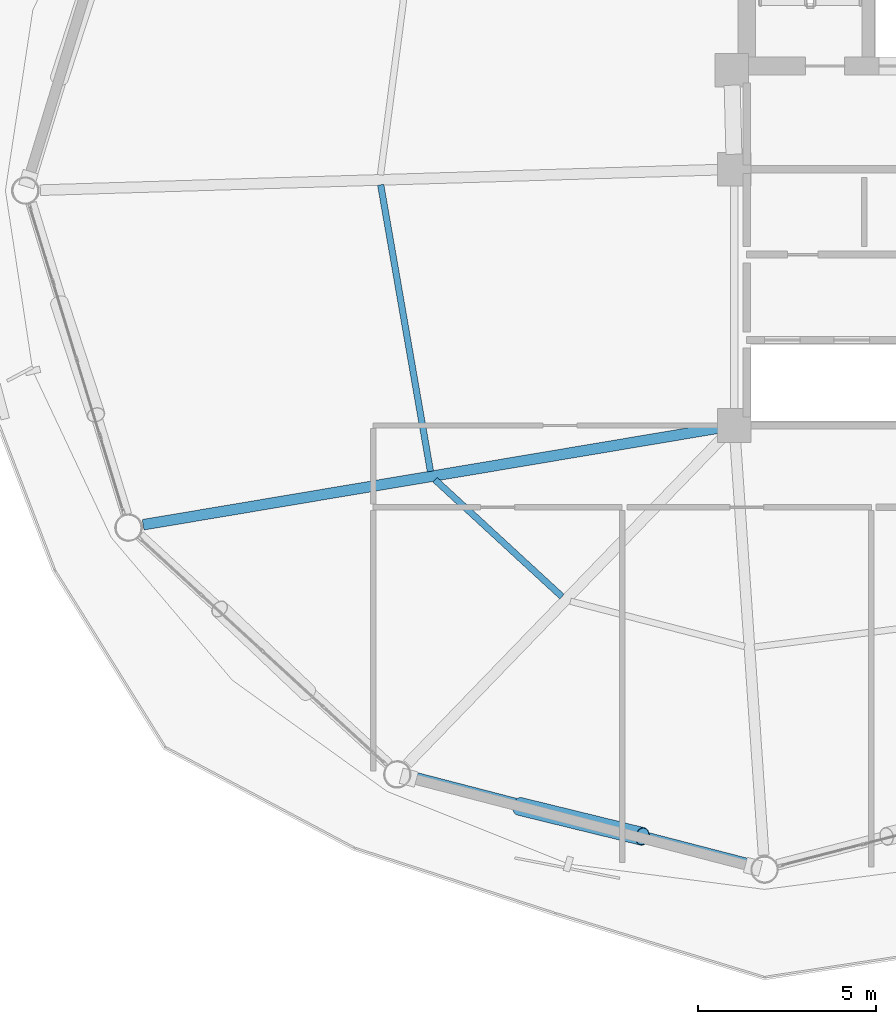
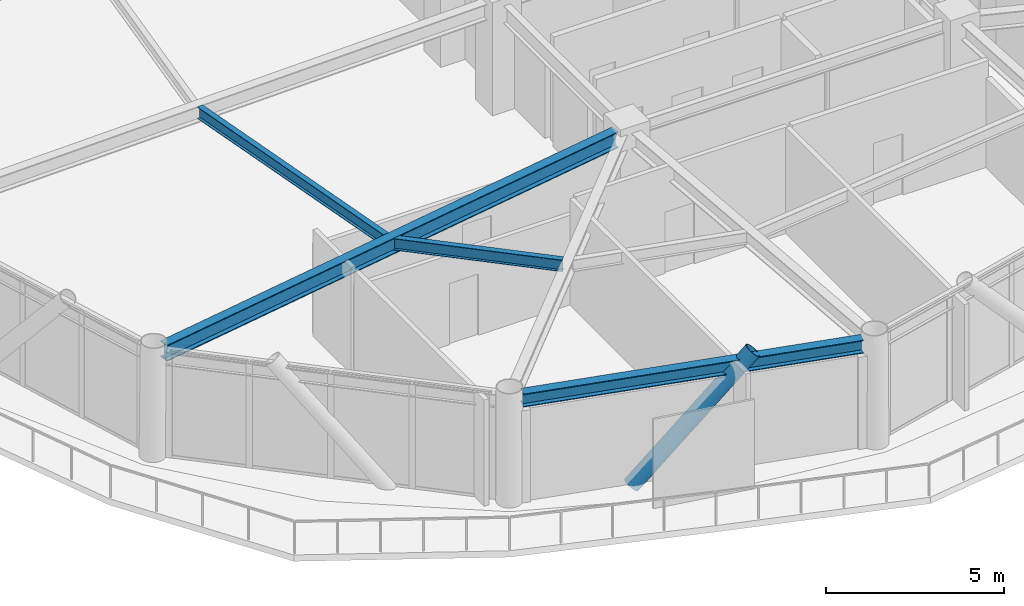
# One storey, part 4 of 23: 4 beams, 1 member.
"""IFC4 building model written with IfcOpenShell, lengths in metres."""

from ifc_helpers import new_model, si_unit, direction, frame, origin, origin_2d, place, context, subcontext, project, spatial, hollow_circle, i_section, extrude, material, material_profile, profile_set, type_object, element, save


model = new_model("IFC4")

# Units and contexts
model_context = context("Model", 3, precision=1e-05, world=origin(), true_north=direction((0.0, 1.0)))
body_context = subcontext(model_context, "Body", "Model", "MODEL_VIEW")
ifc_project = project(units=[si_unit("LENGTHUNIT", "METRE"), si_unit("AREAUNIT", "SQUARE_METRE"), si_unit("VOLUMEUNIT", "CUBIC_METRE"), si_unit("PLANEANGLEUNIT", "RADIAN"), si_unit("MASSUNIT", "GRAM", prefix="KILO")], contexts=[model_context])

# Site, building, storey
site_placement = place(None, origin())
site = spatial("IfcSite", under=ifc_project, at=site_placement, CompositionType="ELEMENT")
building_placement = place(site_placement, origin())
building = spatial("IfcBuilding", under=site, at=building_placement, Name="Varnakorn Sky Granary", CompositionType="ELEMENT")
storey_placement = place(building_placement, frame((0.0, 0.0, 150.0)))
storey = spatial("IfcBuildingStorey", under=building, at=storey_placement, Name="L37", CompositionType="ELEMENT", Elevation=150.0)

# Beams
ifc_material_1 = material(Name="Steel S355JR", Category="steel")
ifc_material_profile_1 = material_profile(ifc_material_1, i_section(OverallWidth=0.300048828125, OverallDepth=0.550048828125, WebThickness=0.014892578125, FlangeThickness=0.029052734375, at=origin_2d()), Name="HE 550 B")
ifc_profile_set_1 = profile_set([ifc_material_profile_1], Name="Steel S355JR")
beam_type_1 = type_object("IfcBeamType", Name="BM-RAD-Z3", PredefinedType="BEAM", material=ifc_profile_set_1)
beam_1_placement = place(storey_placement, frame((-2.76416015625, -6.669677734375, 3.364990234375), z_axis=(-0.986173318426, -0.165717186871, 0.0), x_axis=(0.165717186871, -0.986173318426, 0.0)))
element("IfcBeam", 1, at=beam_1_placement, inside=storey, type_object=beam_type_1, Name="Radial Floor Girder RG08 L37", PredefinedType="BEAM", context=body_context, shape_type="SweptSolid", body=[
    extrude(i_section(OverallWidth=0.300048828125, OverallDepth=0.550048828125, WebThickness=0.014892578125, FlangeThickness=0.029052734375, at=origin_2d()), origin(), (0.0, 0.0, 1.0), 16.426513671875),
])
ifc_material_profile_2 = material_profile(ifc_material_1, i_section(OverallWidth=0.179931640625, OverallDepth=0.39990234375, WebThickness=0.008544921875, FlangeThickness=0.013427734375, at=origin_2d()), Name="IPE 400")
ifc_profile_set_2 = profile_set([ifc_material_profile_2], Name="Steel S355JR")
beam_type_2 = type_object("IfcBeamType", Name="BM-SEC-Z3", PredefinedType="BEAM", material=ifc_profile_set_2)
beam_2_placement = place(storey_placement, frame((-12.28662109375, 0.1611328125, 3.43994140625), z_axis=(0.171102953253, -0.985253154975, 0.0), x_axis=(0.985253154975, 0.171102953253, 0.0)))
element("IfcBeam", 2, at=beam_2_placement, inside=storey, type_object=beam_type_2, Name="Secondary Floor Chord Beam MSB07 L37", PredefinedType="BEAM", context=body_context, shape_type="SweptSolid", body=[
    extrude(i_section(OverallWidth=0.179931640625, OverallDepth=0.39990234375, WebThickness=0.008544921875, FlangeThickness=0.013427734375, at=origin_2d()), origin(), (0.0, 0.0, 1.0), 8.174560546875),
])
beam_3_placement = place(storey_placement, frame((-10.760986328125, -8.12548828125, 3.43994140625), z_axis=(0.7357213127, -0.677284393767, 0.0), x_axis=(0.677284393767, 0.7357213127, 0.0)))
element("IfcBeam", 3, at=beam_3_placement, inside=storey, type_object=beam_type_2, Name="Secondary Floor Chord Beam MSB08 L37", PredefinedType="BEAM", context=body_context, shape_type="SweptSolid", body=[
    extrude(i_section(OverallWidth=0.179931640625, OverallDepth=0.39990234375, WebThickness=0.008544921875, FlangeThickness=0.013427734375, at=origin_2d()), origin(), (0.0, 0.0, 1.0), 4.8505859375),
])
ifc_material_profile_3 = material_profile(ifc_material_1, i_section(OverallWidth=0.300048828125, OverallDepth=0.449951171875, WebThickness=0.013916015625, FlangeThickness=0.02587890625, at=origin_2d()), Name="HE 450 B")
ifc_profile_set_3 = profile_set([ifc_material_profile_3], Name="Steel S355JR")
beam_type_3 = type_object("IfcBeamType", Name="BM-SPD-Z3", PredefinedType="SPANDREL", material=ifc_profile_set_3)
beam_4_placement = place(storey_placement, frame((-11.436767578125, -16.464111328125, 3.4150390625), z_axis=(0.968002445403, -0.250940761324, 0.0), x_axis=(0.250940761324, 0.968002445403, 0.0)))
element("IfcBeam", 4, at=beam_4_placement, inside=storey, type_object=beam_type_3, Name="Perimeter Spandrel Ring Beam RB09 L37", PredefinedType="SPANDREL", context=body_context, shape_type="SweptSolid", body=[
    extrude(i_section(OverallWidth=0.300048828125, OverallDepth=0.449951171875, WebThickness=0.013916015625, FlangeThickness=0.02587890625, at=origin_2d()), origin(), (0.0, 0.0, 1.0), 9.899169921875),
])

# Member
ifc_material_2 = material(Name="Steel S460M", Category="steel")
ifc_material_profile_4 = material_profile(ifc_material_2, hollow_circle(Radius=0.25390625, WallThickness=0.01806640625, at=origin_2d()), Name="CHS 508x18")
ifc_profile_set_4 = profile_set([ifc_material_profile_4], Name="Steel S460M")
member_type = type_object("IfcMemberType", Name="MB-DIAG-T2", PredefinedType="BRACE", material=ifc_profile_set_4)
member_placement = place(storey_placement, frame((-8.3828125, -17.30517578125, -0.1298828125), z_axis=(0.652445497099, -0.159777862701, 0.740800855768), x_axis=(0.237862117096, 0.971298930943, 0.0)))
element("IfcMember", 5, at=member_placement, inside=storey, type_object=member_type, Name="Perimeter CHS Diagrid Brace DG09 L37", PredefinedType="BRACE", context=body_context, shape_type="SweptSolid", body=[
    extrude(hollow_circle(Radius=0.25390625, WallThickness=0.01806640625, at=origin_2d()), origin(), (0.0, 0.0, 1.0), 5.29150390625),
])

save(model, "model.ifc")
